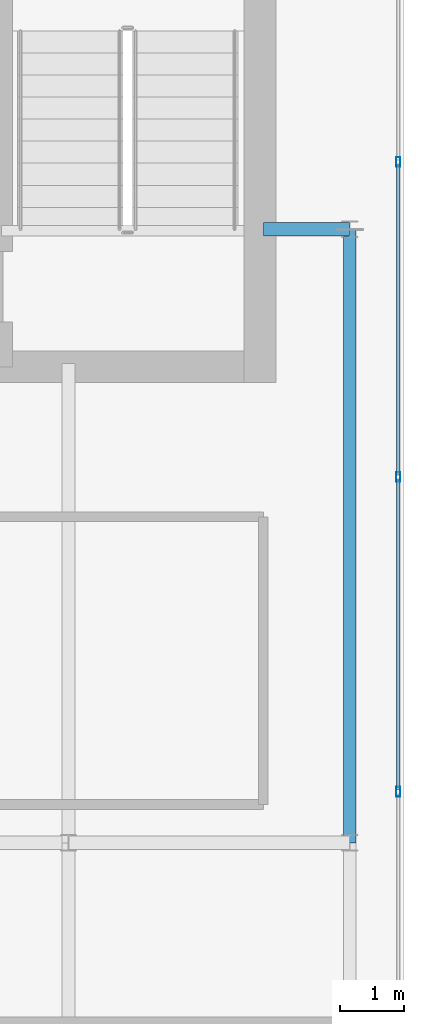
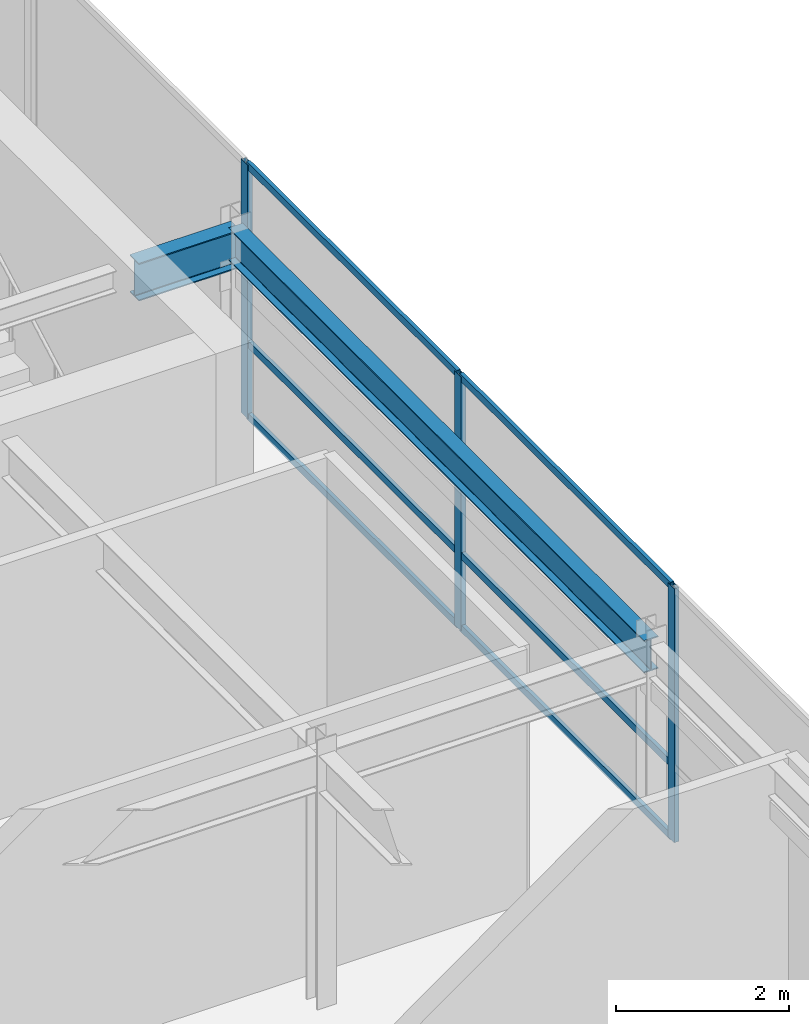
# One storey, part 24 of 36: 9 members, 2 beams, 1 element without a shape of its own.
"""IFC4 building model written with IfcOpenShell, lengths in metres."""

from ifc_helpers import new_model, si_unit, direction, frame, origin, origin_2d, place, context, subcontext, project, spatial, hollow_rectangle, i_section, extrude, source, transform, mapped, material, layer, layer_set, material_profile, profile_set, type_object, type_shapes, element, aggregate, save


model = new_model("IFC4")

# Units and contexts
model_context = context("Model", 3, precision=1e-05, world=origin(), true_north=direction((0.0, 1.0)))
body_context = subcontext(model_context, "Body", "Model", "MODEL_VIEW")
ifc_project = project(units=[si_unit("LENGTHUNIT", "METRE"), si_unit("AREAUNIT", "SQUARE_METRE"), si_unit("VOLUMEUNIT", "CUBIC_METRE"), si_unit("PLANEANGLEUNIT", "RADIAN"), si_unit("MASSUNIT", "GRAM", prefix="KILO")], contexts=[model_context])

# Site, building, storey
site_placement = place(None, origin())
site = spatial("IfcSite", under=ifc_project, at=site_placement, CompositionType="ELEMENT")
building_placement = place(site_placement, origin())
building = spatial("IfcBuilding", under=site, at=building_placement, Name="Tolvann Quenvar Hotel", CompositionType="ELEMENT")
storey_placement = place(building_placement, frame((0.0, 0.0, 294.75)))
storey = spatial("IfcBuildingStorey", under=building, at=storey_placement, Name="L78", CompositionType="ELEMENT", Elevation=294.75)

# Beams
ifc_material_1 = material(Name="Steel Grade 350", Category="steel")
ifc_material_profile_1 = material_profile(ifc_material_1, i_section(OverallWidth=0.19091796875, OverallDepth=0.4599609375, WebThickness=0.010009765625, FlangeThickness=0.01611328125, FilletRadius=0.011474609375, at=origin_2d()), Name="460UB82")
ifc_profile_set_1 = profile_set([ifc_material_profile_1], Name="Steel Grade 350")
beam_type_1 = type_object("IfcBeamType", Name="BM_SPAND_460UB82", PredefinedType="SPANDREL", material=ifc_profile_set_1)
shared_shape_1 = source(origin(), body_context, "Body", "SweptSolid", [
    extrude(i_section(OverallWidth=0.19091796875, OverallDepth=0.4599609375, WebThickness=0.010009765625, FlangeThickness=0.01611328125, FilletRadius=0.011474609375, at=origin_2d()), origin(), (0.0, 0.0, 1.0), 9.60009765625),
])
type_shapes(beam_type_1, [shared_shape_1])
beam_1_placement = place(storey_placement, frame((37.14990234375, 24.39990234375, 3.35009765625), z_axis=(0.0, 1.0, 0.0), x_axis=(-1.0, 0.0, 0.0)))
element("IfcBeam", 1, at=beam_1_placement, inside=storey, type_object=beam_type_1, Name="BM-L78-FLK-G1", PredefinedType="SPANDREL", context=body_context, shape_type="MappedRepresentation", body=[
    mapped(shared_shape_1, transform((0.0, 0.0, 0.0), x_axis=(1.0, 0.0, 0.0), y_axis=(0.0, 1.0, 0.0), z_axis=(0.0, 0.0, 1.0), scale=1.0)),
])
ifc_material_profile_2 = material_profile(ifc_material_1, i_section(OverallWidth=0.208984375, OverallDepth=0.532958984375, WebThickness=0.01025390625, FlangeThickness=0.015625, FilletRadius=0.013916015625, at=origin_2d()), Name="530UB92")
ifc_profile_set_2 = profile_set([ifc_material_profile_2], Name="Steel Grade 350")
beam_type_2 = type_object("IfcBeamType", Name="BM_GIRD_530UB92", PredefinedType="BEAM", material=ifc_profile_set_2)
shared_shape_2 = source(origin(), body_context, "Body", "SweptSolid", [
    extrude(i_section(OverallWidth=0.208984375, OverallDepth=0.532958984375, WebThickness=0.01025390625, FlangeThickness=0.015625, FilletRadius=0.013916015625, at=origin_2d()), origin(), (0.0, 0.0, 1.0), 1.349853515625),
])
type_shapes(beam_type_2, [shared_shape_2])
beam_2_placement = place(storey_placement, frame((35.800048828125, 34.0, 3.3134765625), z_axis=(1.0, 0.0, 0.0), x_axis=(0.0, 1.0, 0.0)))
element("IfcBeam", 2, at=beam_2_placement, inside=storey, type_object=beam_type_2, Name="BM-L78-CTE-GD6", PredefinedType="BEAM", context=body_context, shape_type="MappedRepresentation", body=[
    mapped(shared_shape_2, transform((0.0, 0.0, 0.0), x_axis=(1.0, 0.0, 0.0), y_axis=(0.0, 1.0, 0.0), z_axis=(0.0, 0.0, 1.0), scale=1.0)),
])

# Curtain wall, members
ifc_material_2 = material(Name="Thermally broken anodised architectural aluminium 6063-T6 and laminated low-E glass", Category="aluminium")
ifc_layer = layer(ifc_material_2, 0.179931640625)
ifc_layer_set = layer_set([ifc_layer], Name="Thermally broken anodised architectural aluminium 6063-T6 and laminated low-E glass")
curtain_wall_type = type_object("IfcCurtainWallType", Name="CW_SYS_LANT_06", PredefinedType="USERDEFINED", material=ifc_layer_set)
curtain_wall_placement = place(storey_placement, origin())
curtain_wall = element("IfcCurtainWall", 3, at=curtain_wall_placement, inside=storey, type_object=curtain_wall_type, Name="Curtain Wall CW-LANT-06 (CWR-L78-E09)", ObjectType="UNITISED CURTAIN WALL", PredefinedType="USERDEFINED")
ifc_material_3 = material(Name="Anodised architectural aluminium 6063-T6 framing", Category="aluminium")
ifc_material_profile_3 = material_profile(ifc_material_3, hollow_rectangle(XDim=0.06494140625, YDim=0.14990234375, WallThickness=0.00390625, at=origin_2d()), Name="150x65x4RHS")
ifc_profile_set_3 = profile_set([ifc_material_profile_3], Name="Anodised architectural aluminium 6063-T6 framing")
member_type_1 = type_object("IfcMemberType", Name="CW_MULL_150x65", PredefinedType="MULLION", material=ifc_profile_set_3)
shared_shape_3 = source(origin(), body_context, "Body", "SweptSolid", [
    extrude(hollow_rectangle(XDim=0.06494140625, YDim=0.14990234375, WallThickness=0.00390625, at=origin_2d()), origin(), (0.0, 0.0, 1.0), 3.580078125),
])
type_shapes(member_type_1, [shared_shape_3])
member_1_placement = place(storey_placement, frame((37.909912109375, 25.199951171875, 0.0), z_axis=(0.0, 0.0, 1.0), x_axis=(-1.0, 0.0, 0.0)))
member_1 = element("IfcMember", 4, at=member_1_placement, type_object=member_type_1, Name="CW-LANT-06 mullion 4", PredefinedType="MULLION", context=body_context, shape_type="MappedRepresentation", body=[
    mapped(shared_shape_3, transform((0.0, 0.0, 0.0), x_axis=(1.0, 0.0, 0.0), y_axis=(0.0, 1.0, 0.0), z_axis=(0.0, 0.0, 1.0), scale=1.0)),
])
member_2_placement = place(storey_placement, frame((37.909912109375, 30.127685546875, 0.0), z_axis=(0.0, 0.0, 1.0), x_axis=(-1.0, 0.0, 0.0)))
member_2 = element("IfcMember", 5, at=member_2_placement, type_object=member_type_1, Name="CW-LANT-06 mullion 5", PredefinedType="MULLION", context=body_context, shape_type="MappedRepresentation", body=[
    mapped(shared_shape_3, transform((0.0, 0.0, 0.0), x_axis=(1.0, 0.0, 0.0), y_axis=(0.0, 1.0, 0.0), z_axis=(0.0, 0.0, 1.0), scale=1.0)),
])
member_3_placement = place(storey_placement, frame((37.909912109375, 35.05517578125, 0.0), z_axis=(0.0, 0.0, 1.0), x_axis=(-1.0, 0.0, 0.0)))
member_3 = element("IfcMember", 6, at=member_3_placement, type_object=member_type_1, Name="CW-LANT-06 mullion 6", PredefinedType="MULLION", context=body_context, shape_type="MappedRepresentation", body=[
    mapped(shared_shape_3, transform((0.0, 0.0, 0.0), x_axis=(1.0, 0.0, 0.0), y_axis=(0.0, 1.0, 0.0), z_axis=(0.0, 0.0, 1.0), scale=1.0)),
])
ifc_material_profile_4 = material_profile(ifc_material_3, hollow_rectangle(XDim=0.050048828125, YDim=0.10009765625, WallThickness=0.0029296875, at=origin_2d()), Name="100x50x3RHS")
ifc_profile_set_4 = profile_set([ifc_material_profile_4], Name="Anodised architectural aluminium 6063-T6 framing")
member_type_2 = type_object("IfcMemberType", Name="CW_TRAN_100x50", PredefinedType="USERDEFINED", material=ifc_profile_set_4)
shared_shape_4 = source(origin(), body_context, "Body", "SweptSolid", [
    extrude(hollow_rectangle(XDim=0.050048828125, YDim=0.10009765625, WallThickness=0.0029296875, at=origin_2d()), origin(), (0.0, 0.0, 1.0), 4.86279296875),
])
member_4_placement = place(storey_placement, frame((37.909912109375, 25.232421875, 0.02490234375), z_axis=(0.0, 1.0, 0.0), x_axis=(-1.0, 0.0, 0.0)))
member_4 = element("IfcMember", 7, at=member_4_placement, type_object=member_type_2, Name="CW-LANT-06 transom 4.1", ObjectType="TRANSOM", PredefinedType="USERDEFINED", context=body_context, shape_type="MappedRepresentation", body=[
    mapped(shared_shape_4, transform((0.0, 0.0, 0.0), x_axis=(1.0, 0.0, 0.0), y_axis=(0.0, 1.0, 0.0), z_axis=(0.0, 0.0, 1.0), scale=1.0)),
])
member_5_placement = place(storey_placement, frame((37.909912109375, 25.232421875, 1.050048828125), z_axis=(0.0, 1.0, 0.0), x_axis=(-1.0, 0.0, 0.0)))
member_5 = element("IfcMember", 8, at=member_5_placement, type_object=member_type_2, Name="CW-LANT-06 transom 4.2", ObjectType="TRANSOM", PredefinedType="USERDEFINED", context=body_context, shape_type="MappedRepresentation", body=[
    mapped(shared_shape_4, transform((0.0, 0.0, 0.0), x_axis=(1.0, 0.0, 0.0), y_axis=(0.0, 1.0, 0.0), z_axis=(0.0, 0.0, 1.0), scale=1.0)),
])
member_6_placement = place(storey_placement, frame((37.909912109375, 25.232421875, 3.554931640625), z_axis=(0.0, 1.0, 0.0), x_axis=(-1.0, 0.0, 0.0)))
member_6 = element("IfcMember", 9, at=member_6_placement, type_object=member_type_2, Name="CW-LANT-06 transom 4.3", ObjectType="TRANSOM", PredefinedType="USERDEFINED", context=body_context, shape_type="MappedRepresentation", body=[
    mapped(shared_shape_4, transform((0.0, 0.0, 0.0), x_axis=(1.0, 0.0, 0.0), y_axis=(0.0, 1.0, 0.0), z_axis=(0.0, 0.0, 1.0), scale=1.0)),
])
shared_shape_5 = source(origin(), body_context, "Body", "SweptSolid", [
    extrude(hollow_rectangle(XDim=0.050048828125, YDim=0.10009765625, WallThickness=0.0029296875, at=origin_2d()), origin(), (0.0, 0.0, 1.0), 4.862548828125),
])
type_shapes(member_type_2, [shared_shape_4, shared_shape_5])
member_7_placement = place(storey_placement, frame((37.909912109375, 30.16015625, 0.02490234375), z_axis=(0.0, 1.0, 0.0), x_axis=(-1.0, 0.0, 0.0)))
member_7 = element("IfcMember", 10, at=member_7_placement, type_object=member_type_2, Name="CW-LANT-06 transom 5.1", ObjectType="TRANSOM", PredefinedType="USERDEFINED", context=body_context, shape_type="MappedRepresentation", body=[
    mapped(shared_shape_5, transform((0.0, 0.0, 0.0), x_axis=(1.0, 0.0, 0.0), y_axis=(0.0, 1.0, 0.0), z_axis=(0.0, 0.0, 1.0), scale=1.0)),
])
member_8_placement = place(storey_placement, frame((37.909912109375, 30.16015625, 1.050048828125), z_axis=(0.0, 1.0, 0.0), x_axis=(-1.0, 0.0, 0.0)))
member_8 = element("IfcMember", 11, at=member_8_placement, type_object=member_type_2, Name="CW-LANT-06 transom 5.2", ObjectType="TRANSOM", PredefinedType="USERDEFINED", context=body_context, shape_type="MappedRepresentation", body=[
    mapped(shared_shape_5, transform((0.0, 0.0, 0.0), x_axis=(1.0, 0.0, 0.0), y_axis=(0.0, 1.0, 0.0), z_axis=(0.0, 0.0, 1.0), scale=1.0)),
])
member_9_placement = place(storey_placement, frame((37.909912109375, 30.16015625, 3.554931640625), z_axis=(0.0, 1.0, 0.0), x_axis=(-1.0, 0.0, 0.0)))
member_9 = element("IfcMember", 12, at=member_9_placement, type_object=member_type_2, Name="CW-LANT-06 transom 5.3", ObjectType="TRANSOM", PredefinedType="USERDEFINED", context=body_context, shape_type="MappedRepresentation", body=[
    mapped(shared_shape_5, transform((0.0, 0.0, 0.0), x_axis=(1.0, 0.0, 0.0), y_axis=(0.0, 1.0, 0.0), z_axis=(0.0, 0.0, 1.0), scale=1.0)),
])
aggregate(curtain_wall, [member_1, member_2, member_3, member_4, member_5, member_6, member_7, member_8, member_9])

save(model, "model.ifc")
